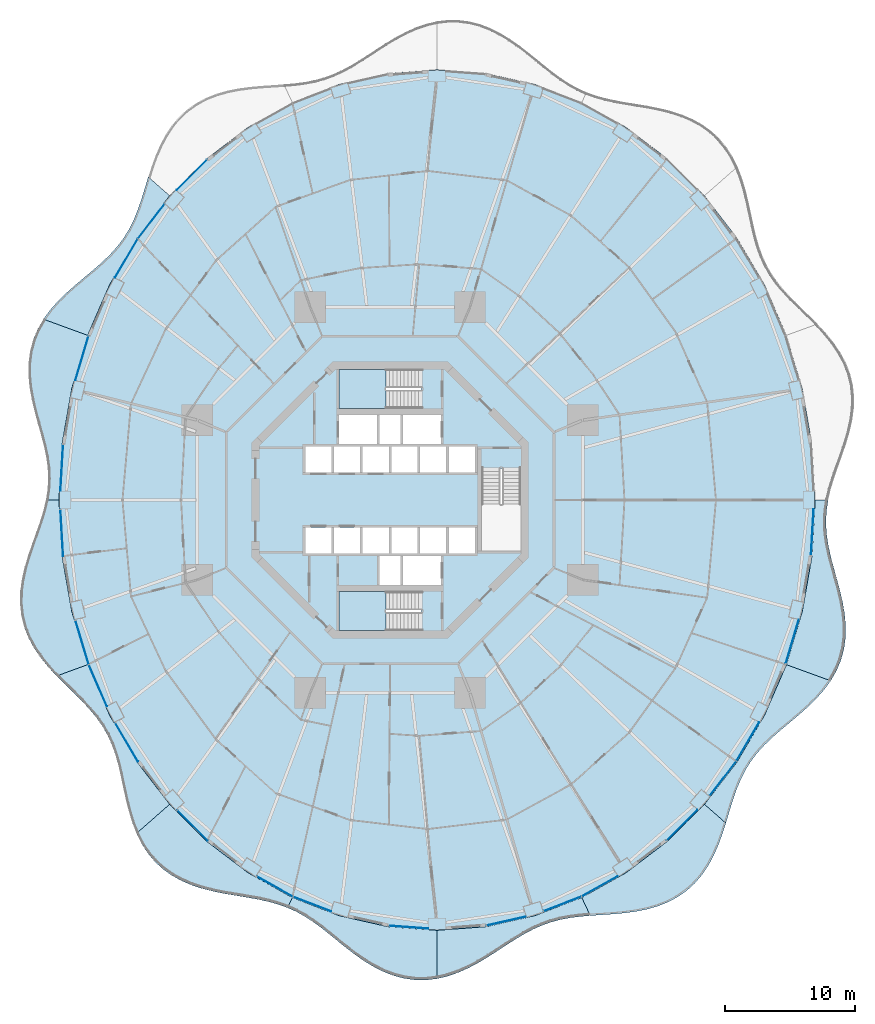
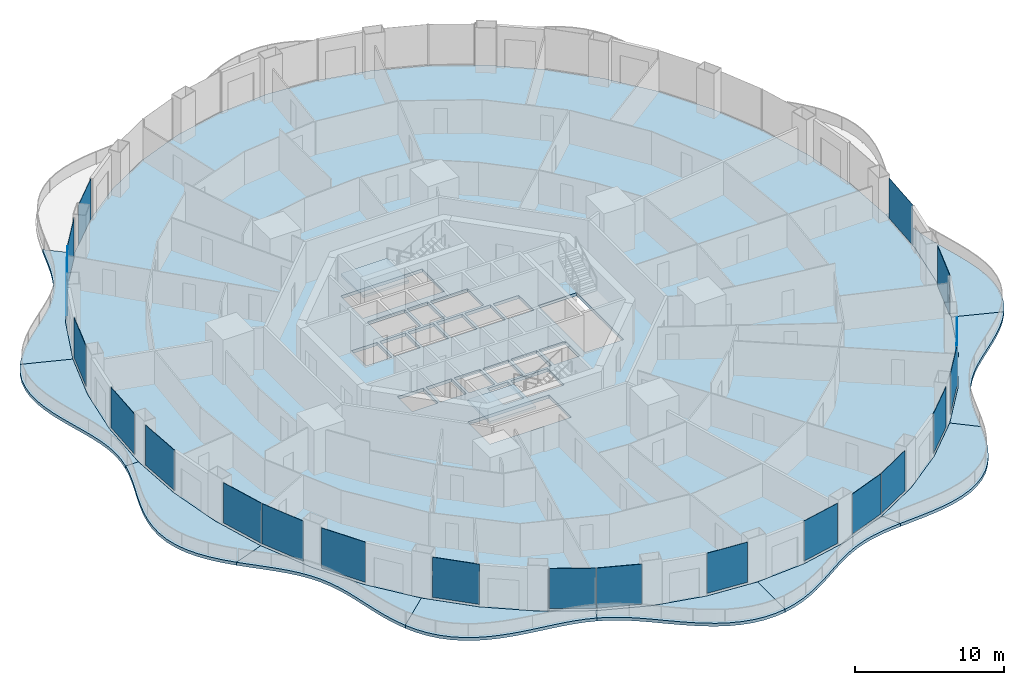
# One storey, part 12 of 22: 21 plates, 13 slabs, 23 elements without a shape of their own.
"""IFC4 building model written with IfcOpenShell, lengths in metres."""

from ifc_helpers import new_model, si_unit, direction, frame, origin, origin_2d, place, context, subcontext, project, spatial, polyline, rectangle, outline, extrude, material, layer, layer_set, type_object, element, aggregate, save


model = new_model("IFC4")

# Units and contexts
model_context = context("Model", 3, precision=1e-05, world=origin(), true_north=direction((0.0, 1.0)))
body_context = subcontext(model_context, "Body", "Model", "MODEL_VIEW")
ifc_project = project(units=[si_unit("LENGTHUNIT", "METRE"), si_unit("AREAUNIT", "SQUARE_METRE"), si_unit("VOLUMEUNIT", "CUBIC_METRE"), si_unit("PLANEANGLEUNIT", "RADIAN"), si_unit("MASSUNIT", "GRAM", prefix="KILO")], contexts=[model_context])

# Site, building, storey
site_placement = place(None, origin())
site = spatial("IfcSite", under=ifc_project, at=site_placement, CompositionType="ELEMENT")
building_placement = place(site_placement, origin())
building = spatial("IfcBuilding", under=site, at=building_placement, Name="Nagisa Residences", CompositionType="ELEMENT")
storey_placement = place(building_placement, frame((0.0, 0.0, 45.5)))
storey = spatial("IfcBuildingStorey", under=building, at=storey_placement, Name="L10", CompositionType="ELEMENT", Elevation=45.5)

# Slabs
ifc_material_1 = material(Name="Concrete C40/50", Category="concrete")
ifc_layer_1 = layer(ifc_material_1, 0.25)
ifc_layer_set_1 = layer_set([ifc_layer_1], Name="BALCONY SLAB 250")
slab_type_1 = type_object("IfcSlabType", Name="BALCONY SLAB 250", PredefinedType="FLOOR", material=ifc_layer_set_1)
slab_1_placement = place(storey_placement, frame((0.0, 0.0, -0.25)))
element("IfcSlab", 1, at=slab_1_placement, inside=storey, type_object=slab_type_1, Name="slab:L10:bal06", PredefinedType="FLOOR", context=body_context, shape_type="SweptSolid", body=[
    extrude(outline(polyline([(-18.542724609375, 24.77294921875), (-18.805419921875, 23.90478515625), (-19.06689453125, 23.05908203125), (-19.34619140625, 22.246826171875), (-19.659912109375, 21.4755859375), (-20.0224609375, 20.7490234375), (-20.443359375, 20.067138671875), (-20.927978515625, 19.42578125), (-21.475830078125, 18.8173828125), (-22.081298828125, 18.232177734375), (-22.7333984375, 17.6591796875), (-23.4169921875, 17.086181640625), (-24.112548828125, 16.501220703125), (-24.798828125, 15.893798828125), (-25.453857421875, 15.25537109375), (-26.055419921875, 14.579833984375), (-26.584228515625, 13.863037109375), (-23.192626953125, 12.628662109375), (-21.5146484375, 16.5), (-19.4072265625, 20.089111328125), (-16.906005859375, 23.33447265625), (-18.542724609375, 24.77294921875)])), origin(), (0.0, 0.0, 1.0), 0.25),
])
slab_2_placement = place(storey_placement, frame((0.0, 0.0, -0.25)))
element("IfcSlab", 2, at=slab_2_placement, inside=storey, type_object=slab_type_1, Name="slab:L10:bal07", PredefinedType="FLOOR", context=body_context, shape_type="SweptSolid", body=[
    extrude(outline(polyline([(-26.584228515625, 13.863037109375), (-27.0361328125, 13.080322265625), (-27.380126953125, 12.255859375), (-27.60986328125, 11.394775390625), (-27.72509765625, 10.5048828125), (-27.732421875, 9.594482421875), (-27.64501953125, 8.6728515625), (-27.4814453125, 7.749267578125), (-27.2646484375, 6.83154296875), (-27.01953125, 5.926025390625), (-26.7724609375, 5.036865234375), (-26.549072265625, 4.166015625), (-26.37109375, 3.312744140625), (-26.25732421875, 2.474609375), (-26.2197265625, 1.646728515625), (-26.2646484375, 0.823974609375), (-26.390625, 0.0), (-25.39990234375, 0.0), (-25.15185546875, 4.307373046875), (-24.411865234375, 8.541015625), (-23.192626953125, 12.628662109375), (-26.584228515625, 13.863037109375)])), origin(), (0.0, 0.0, 1.0), 0.25),
])
slab_3_placement = place(storey_placement, frame((0.0, 0.0, -0.25)))
element("IfcSlab", 3, at=slab_3_placement, inside=storey, type_object=slab_type_1, Name="slab:L10:bal08", PredefinedType="FLOOR", context=body_context, shape_type="SweptSolid", body=[
    extrude(outline(polyline([(-26.390625, 0.0), (-26.58984375, -0.8310546875), (-26.84814453125, -1.673828125), (-27.145751953125, -2.53173828125), (-27.459228515625, -3.406494140625), (-27.7626953125, -4.296875), (-28.02978515625, -5.199951171875), (-28.2353515625, -6.110595703125), (-28.357421875, -7.021728515625), (-28.379150390625, -7.925537109375), (-28.28857421875, -8.81396484375), (-28.0810546875, -9.678955078125), (-27.758544921875, -10.513671875), (-27.329833984375, -11.313720703125), (-26.809326171875, -12.07666015625), (-26.216552734375, -12.802734375), (-25.574951171875, -13.495849609375), (-23.192626953125, -12.628662109375), (-24.411865234375, -8.541015625), (-25.15185546875, -4.307373046875), (-25.39990234375, 0.0), (-26.390625, 0.0)])), origin(), (0.0, 0.0, 1.0), 0.25),
])
slab_4_placement = place(storey_placement, frame((0.0, 0.0, -0.25)))
element("IfcSlab", 4, at=slab_4_placement, inside=storey, type_object=slab_type_1, Name="slab:L10:bal09", PredefinedType="FLOOR", context=body_context, shape_type="SweptSolid", body=[
    extrude(outline(polyline([(-25.574951171875, -13.495849609375), (-24.9296875, -14.141845703125), (-24.28466796875, -14.7705078125), (-23.66064453125, -15.391845703125), (-23.076416015625, -16.016357421875), (-22.546142578125, -16.654296875), (-22.0791015625, -17.316162109375), (-21.6796875, -18.009765625), (-21.345703125, -18.7412109375), (-21.0703125, -19.513427734375), (-20.841552734375, -20.32568359375), (-20.643798828125, -21.173583984375), (-20.4580078125, -22.049072265625), (-20.264404296875, -22.94091796875), (-20.043212890625, -23.835205078125), (-19.77587890625, -24.716064453125), (-19.4462890625, -25.566650390625), (-16.906005859375, -23.33447265625), (-19.4072265625, -20.089111328125), (-21.5146484375, -16.5), (-23.192626953125, -12.628662109375), (-25.574951171875, -13.495849609375)])), origin(), (0.0, 0.0, 1.0), 0.25),
])
slab_5_placement = place(storey_placement, frame((0.0, 0.0, -0.25)))
element("IfcSlab", 5, at=slab_5_placement, inside=storey, type_object=slab_type_1, Name="slab:L10:bal10", PredefinedType="FLOOR", context=body_context, shape_type="SweptSolid", body=[
    extrude(outline(polyline([(-19.4462890625, -25.566650390625), (-19.06298828125, -26.3349609375), (-18.605224609375, -27.048095703125), (-18.0703125, -27.6953125), (-17.45947265625, -28.26904296875), (-16.777587890625, -28.7646484375), (-16.033203125, -29.181640625), (-15.238037109375, -29.523193359375), (-14.404541015625, -29.797119140625), (-13.547607421875, -30.01416015625), (-12.680908203125, -30.188720703125), (-11.81787109375, -30.336669921875), (-10.969970703125, -30.475341796875), (-10.146484375, -30.62255859375), (-9.35302734375, -30.794677734375), (-8.592529296875, -31.00537109375), (-7.86474609375, -31.266357421875), (-7.497802734375, -30.488037109375), (-10.89990234375, -28.578857421875), (-14.05419921875, -26.1806640625), (-16.906005859375, -23.33447265625), (-19.4462890625, -25.566650390625)])), origin(), (0.0, 0.0, 1.0), 0.25),
])
slab_6_placement = place(storey_placement, frame((0.0, 0.0, -0.25)))
element("IfcSlab", 6, at=slab_6_placement, inside=storey, type_object=slab_type_1, Name="slab:L10:bal11", PredefinedType="FLOOR", context=body_context, shape_type="SweptSolid", body=[
    extrude(outline(polyline([(-7.86474609375, -31.266357421875), (-7.19091796875, -31.572021484375), (-6.539306640625, -31.932861328125), (-5.90234375, -32.34716796875), (-5.2724609375, -32.80908203125), (-4.64111328125, -33.30810546875), (-4.0, -33.8310546875), (-3.34228515625, -34.361572265625), (-2.661865234375, -34.8818359375), (-1.955322265625, -35.37255859375), (-1.22119140625, -35.8154296875), (-0.459716796875, -36.193115234375), (0.326171875, -36.49072265625), (1.131591796875, -36.696533203125), (1.950439453125, -36.802978515625), (2.775634765625, -36.806884765625), (3.60009765625, -36.70947265625), (3.60009765625, -33.0), (-0.185302734375, -32.7177734375), (-3.90576171875, -31.87548828125), (-7.497802734375, -30.488037109375), (-7.86474609375, -31.266357421875)])), origin(), (0.0, 0.0, 1.0), 0.25),
])
slab_7_placement = place(storey_placement, frame((0.0, 0.0, -0.25)))
element("IfcSlab", 7, at=slab_7_placement, inside=storey, type_object=slab_type_1, Name="slab:L10:bal12", PredefinedType="FLOOR", context=body_context, shape_type="SweptSolid", body=[
    extrude(outline(polyline([(3.60009765625, -36.70947265625), (4.416015625, -36.5166015625), (5.2177734375, -36.23876953125), (6.000244140625, -35.889404296875), (6.760498046875, -35.4853515625), (7.497314453125, -35.044677734375), (8.21240234375, -34.5869140625), (8.90869140625, -34.13037109375), (9.59130859375, -33.69287109375), (10.2666015625, -33.2890625), (10.942138671875, -32.9306640625), (11.625244140625, -32.625244140625), (12.32275390625, -32.376708984375), (13.040771484375, -32.183837890625), (13.78369140625, -32.041748046875), (14.553466796875, -31.94140625), (15.349609375, -31.870849609375), (14.69775390625, -30.488037109375), (11.105712890625, -31.87548828125), (7.38525390625, -32.7177734375), (3.60009765625, -33.0), (3.60009765625, -36.70947265625)])), origin(), (0.0, 0.0, 1.0), 0.25),
])
slab_8_placement = place(storey_placement, frame((0.0, 0.0, -0.25)))
element("IfcSlab", 8, at=slab_8_placement, inside=storey, type_object=slab_type_1, Name="slab:L10:bal13", PredefinedType="FLOOR", context=body_context, shape_type="SweptSolid", body=[
    extrude(outline(polyline([(15.349609375, -31.870849609375), (16.200439453125, -31.813232421875), (17.070556640625, -31.753662109375), (17.95068359375, -31.673828125), (18.829833984375, -31.5556640625), (19.695556640625, -31.383056640625), (20.53466796875, -31.142578125), (21.333984375, -30.823974609375), (22.08203125, -30.421875), (22.768798828125, -29.93408203125), (23.3876953125, -29.36376953125), (23.935302734375, -28.717041015625), (24.41162109375, -28.004638671875), (24.821044921875, -27.23876953125), (25.17138671875, -26.4345703125), (25.47412109375, -25.607421875), (25.742919921875, -24.77294921875), (24.106201171875, -23.33447265625), (21.254150390625, -26.1806640625), (18.10009765625, -28.578857421875), (14.69775390625, -30.488037109375), (15.349609375, -31.870849609375)])), origin(), (0.0, 0.0, 1.0), 0.25),
])
slab_9_placement = place(storey_placement, frame((0.0, 0.0, -0.25)))
element("IfcSlab", 9, at=slab_9_placement, inside=storey, type_object=slab_type_1, Name="slab:L10:bal14", PredefinedType="FLOOR", context=body_context, shape_type="SweptSolid", body=[
    extrude(outline(polyline([(25.742919921875, -24.77294921875), (26.00537109375, -23.90478515625), (26.266845703125, -23.05908203125), (26.546142578125, -22.246826171875), (26.85986328125, -21.4755859375), (27.222412109375, -20.7490234375), (27.643310546875, -20.067138671875), (28.1279296875, -19.42578125), (28.67578125, -18.8173828125), (29.28125, -18.232177734375), (29.93359375, -17.6591796875), (30.616943359375, -17.086181640625), (31.3125, -16.501220703125), (31.998779296875, -15.893798828125), (32.65380859375, -15.25537109375), (33.25537109375, -14.579833984375), (33.7841796875, -13.863037109375), (30.392578125, -12.628662109375), (28.71484375, -16.5), (26.607177734375, -20.089111328125), (24.106201171875, -23.33447265625), (25.742919921875, -24.77294921875)])), origin(), (0.0, 0.0, 1.0), 0.25),
])
slab_10_placement = place(storey_placement, frame((0.0, 0.0, -0.25)))
element("IfcSlab", 10, at=slab_10_placement, inside=storey, type_object=slab_type_1, Name="slab:L10:bal15", PredefinedType="FLOOR", context=body_context, shape_type="SweptSolid", body=[
    extrude(outline(polyline([(33.7841796875, -13.863037109375), (34.236083984375, -13.080322265625), (34.580322265625, -12.255859375), (34.809814453125, -11.394775390625), (34.925048828125, -10.5048828125), (34.932373046875, -9.594482421875), (34.844970703125, -8.6728515625), (34.681396484375, -7.749267578125), (34.464599609375, -6.83154296875), (34.219482421875, -5.926025390625), (33.97265625, -5.036865234375), (33.7490234375, -4.166015625), (33.5712890625, -3.312744140625), (33.457275390625, -2.474609375), (33.419677734375, -1.646728515625), (33.464599609375, -0.823974609375), (33.590576171875, 0.0), (32.60009765625, 0.0), (32.351806640625, -4.307373046875), (31.61181640625, -8.541015625), (30.392578125, -12.628662109375), (33.7841796875, -13.863037109375)])), origin(), (0.0, 0.0, 1.0), 0.25),
])

# Curtain wall, plate
ifc_material_2 = material(Name="Concrete-coloured aluminium curtain wall system", Category="concrete")
ifc_layer_2 = layer(ifc_material_2, 0.159912109375)
ifc_layer_set_2 = layer_set([ifc_layer_2], Name="CW1 CURTAIN WALL")
curtain_wall_type = type_object("IfcCurtainWallType", Name="CW1 CURTAIN WALL", PredefinedType="NOTDEFINED", material=ifc_layer_set_2)
curtain_wall_1_placement = place(storey_placement, origin())
curtain_wall_1 = element("IfcCurtainWall", 11, at=curtain_wall_1_placement, inside=storey, type_object=curtain_wall_type, Name="cw:CW1:L10:17", PredefinedType="NOTDEFINED")
ifc_material_3 = material(Name="Clear laminated glass", Category="glass")
ifc_layer_3 = layer(ifc_material_3, 0.028076171875)
ifc_layer_set_3 = layer_set([ifc_layer_3], Name="CW1 GLASS PANEL")
plate_type = type_object("IfcPlateType", Name="CW1 GLASS PANEL", PredefinedType="CURTAIN_PANEL", material=ifc_layer_set_3)
plate_1_placement = place(storey_placement, frame((-15.197021484375, 24.927001953125, 0.14990234375), z_axis=(0.0, 0.0, 1.0), x_axis=(-0.707835924016, -0.706376885714, 0.0)))
plate_1 = element("IfcPlate", 12, at=plate_1_placement, type_object=plate_type, Name="CW1 panel", PredefinedType="CURTAIN_PANEL", context=body_context, shape_type="SweptSolid", body=[
    extrude(rectangle(XDim=3.269287109375, YDim=0.028076171875, at=origin_2d()), origin(), (0.0, 0.0, 1.0), 3.2900390625),
])
aggregate(curtain_wall_1, [plate_1])

curtain_wall_2_placement = place(storey_placement, origin())
curtain_wall_2 = element("IfcCurtainWall", 13, at=curtain_wall_2_placement, inside=storey, type_object=curtain_wall_type, Name="cw:CW1:L10:18", PredefinedType="NOTDEFINED")
plate_2_placement = place(storey_placement, frame((-18.3251953125, 21.362060546875, 0.14990234375), z_axis=(0.0, 0.0, 1.0), x_axis=(-0.610429828235, -0.792070340816, 0.0)))
plate_2 = element("IfcPlate", 14, at=plate_2_placement, type_object=plate_type, Name="CW1 panel", PredefinedType="CURTAIN_PANEL", context=body_context, shape_type="SweptSolid", body=[
    extrude(rectangle(XDim=3.33740234375, YDim=0.028076171875, at=origin_2d()), origin(), (0.0, 0.0, 1.0), 3.2900390625),
])
aggregate(curtain_wall_2, [plate_2])

curtain_wall_3_placement = place(storey_placement, origin())
curtain_wall_3 = element("IfcCurtainWall", 15, at=curtain_wall_3_placement, inside=storey, type_object=curtain_wall_type, Name="cw:CW1:L10:19", PredefinedType="NOTDEFINED")
plate_3_placement = place(storey_placement, frame((-20.22998046875, 18.530029296875, 0.14990234375), z_axis=(0.0, 0.0, 1.0), x_axis=(-0.506348567002, -0.862328898214, 0.0)))
plate_3 = element("IfcPlate", 16, at=plate_3_placement, type_object=plate_type, Name="CW1 panel", PredefinedType="CURTAIN_PANEL", context=body_context, shape_type="SweptSolid", body=[
    extrude(rectangle(XDim=3.402099609375, YDim=0.028076171875, at=origin_2d()), origin(), (0.0, 0.0, 1.0), 3.2900390625),
])
aggregate(curtain_wall_3, [plate_3])

curtain_wall_4_placement = place(storey_placement, origin())
curtain_wall_4 = element("IfcCurtainWall", 17, at=curtain_wall_4_placement, inside=storey, type_object=curtain_wall_type, Name="cw:CW1:L10:21", PredefinedType="NOTDEFINED")
plate_4_placement = place(storey_placement, frame((-23.634033203125, 10.86865234375, 0.14990234375), z_axis=(0.0, 0.0, 1.0), x_axis=(-0.285860274038, -0.958271310082, 0.0)))
plate_4 = element("IfcPlate", 18, at=plate_4_placement, type_object=plate_type, Name="CW1 panel", PredefinedType="CURTAIN_PANEL", context=body_context, shape_type="SweptSolid", body=[
    extrude(rectangle(XDim=3.505615234375, YDim=0.028076171875, at=origin_2d()), origin(), (0.0, 0.0, 1.0), 3.2900390625),
])
aggregate(curtain_wall_4, [plate_4])

curtain_wall_5_placement = place(storey_placement, origin())
curtain_wall_5 = element("IfcCurtainWall", 19, at=curtain_wall_5_placement, inside=storey, type_object=curtain_wall_type, Name="cw:CW1:L10:23", PredefinedType="NOTDEFINED")
plate_5_placement = place(storey_placement, frame((-25.177734375, 2.468505859375, 0.14990234375), z_axis=(0.0, 0.0, 1.0), x_axis=(-0.057503492216, -0.998345305184, 0.0)))
plate_5 = element("IfcPlate", 20, at=plate_5_placement, type_object=plate_type, Name="CW1 panel", PredefinedType="CURTAIN_PANEL", context=body_context, shape_type="SweptSolid", body=[
    extrude(rectangle(XDim=3.554443359375, YDim=0.028076171875, at=origin_2d()), origin(), (0.0, 0.0, 1.0), 3.2900390625),
])
aggregate(curtain_wall_5, [plate_5])

curtain_wall_6_placement = place(storey_placement, origin())
curtain_wall_6 = element("IfcCurtainWall", 21, at=curtain_wall_6_placement, inside=storey, type_object=curtain_wall_type, Name="cw:CW1:L10:24", PredefinedType="NOTDEFINED")
plate_6_placement = place(storey_placement, frame((-25.17431640625, -2.528564453125, 0.14990234375), z_axis=(0.0, 0.0, 1.0), x_axis=(0.057503492216, -0.998345305184, 0.0)))
plate_6 = element("IfcPlate", 22, at=plate_6_placement, type_object=plate_type, Name="CW1 panel", PredefinedType="CURTAIN_PANEL", context=body_context, shape_type="SweptSolid", body=[
    extrude(rectangle(XDim=3.554443359375, YDim=0.028076171875, at=origin_2d()), origin(), (0.0, 0.0, 1.0), 3.2900390625),
])
aggregate(curtain_wall_6, [plate_6])

curtain_wall_7_placement = place(storey_placement, origin())
curtain_wall_7 = element("IfcCurtainWall", 23, at=curtain_wall_7_placement, inside=storey, type_object=curtain_wall_type, Name="cw:CW1:L10:26", PredefinedType="NOTDEFINED")
plate_7_placement = place(storey_placement, frame((-23.616943359375, -10.926025390625, 0.14990234375), z_axis=(0.0, 0.0, 1.0), x_axis=(0.285860274038, -0.958271310082, 0.0)))
plate_7 = element("IfcPlate", 24, at=plate_7_placement, type_object=plate_type, Name="CW1 panel", PredefinedType="CURTAIN_PANEL", context=body_context, shape_type="SweptSolid", body=[
    extrude(rectangle(XDim=3.505615234375, YDim=0.028076171875, at=origin_2d()), origin(), (0.0, 0.0, 1.0), 3.2900390625),
])
aggregate(curtain_wall_7, [plate_7])

curtain_wall_8_placement = place(storey_placement, origin())
curtain_wall_8 = element("IfcCurtainWall", 25, at=curtain_wall_8_placement, inside=storey, type_object=curtain_wall_type, Name="cw:CW1:L10:27", PredefinedType="NOTDEFINED")
plate_8_placement = place(storey_placement, frame((-22.407470703125, -14.23876953125, 0.14990234375), z_axis=(0.0, 0.0, 1.0), x_axis=(0.397635934147, -0.917543276295, 0.0)))
plate_8 = element("IfcPlate", 26, at=plate_8_placement, type_object=plate_type, Name="CW1 panel", PredefinedType="CURTAIN_PANEL", context=body_context, shape_type="SweptSolid", body=[
    extrude(rectangle(XDim=3.45947265625, YDim=0.028076171875, at=origin_2d()), origin(), (0.0, 0.0, 1.0), 3.2900390625),
])
aggregate(curtain_wall_8, [plate_8])

curtain_wall_9_placement = place(storey_placement, origin())
curtain_wall_9 = element("IfcCurtainWall", 27, at=curtain_wall_9_placement, inside=storey, type_object=curtain_wall_type, Name="cw:CW1:L10:28", PredefinedType="NOTDEFINED")
plate_9_placement = place(storey_placement, frame((-20.19970703125, -18.581787109375, 0.14990234375), z_axis=(0.0, 0.0, 1.0), x_axis=(0.506348567002, -0.862328898214, 0.0)))
plate_9 = element("IfcPlate", 28, at=plate_9_placement, type_object=plate_type, Name="CW1 panel", PredefinedType="CURTAIN_PANEL", context=body_context, shape_type="SweptSolid", body=[
    extrude(rectangle(XDim=3.402099609375, YDim=0.028076171875, at=origin_2d()), origin(), (0.0, 0.0, 1.0), 3.2900390625),
])
aggregate(curtain_wall_9, [plate_9])

curtain_wall_10_placement = place(storey_placement, origin())
curtain_wall_10 = element("IfcCurtainWall", 29, at=curtain_wall_10_placement, inside=storey, type_object=curtain_wall_type, Name="cw:CW1:L10:30", PredefinedType="NOTDEFINED")
plate_10_placement = place(storey_placement, frame((-15.154541015625, -24.969482421875, 0.14990234375), z_axis=(0.0, 0.0, 1.0), x_axis=(0.707835924016, -0.706376885714, 0.0)))
plate_10 = element("IfcPlate", 30, at=plate_10_placement, type_object=plate_type, Name="CW1 panel", PredefinedType="CURTAIN_PANEL", context=body_context, shape_type="SweptSolid", body=[
    extrude(rectangle(XDim=3.269287109375, YDim=0.028076171875, at=origin_2d()), origin(), (0.0, 0.0, 1.0), 3.2900390625),
])
aggregate(curtain_wall_10, [plate_10])

curtain_wall_11_placement = place(storey_placement, origin())
curtain_wall_11 = element("IfcCurtainWall", 31, at=curtain_wall_11_placement, inside=storey, type_object=curtain_wall_type, Name="cw:CW1:L10:32", PredefinedType="NOTDEFINED")
plate_11_placement = place(storey_placement, frame((-8.828369140625, -29.649658203125, 0.14990234375), z_axis=(0.0, 0.0, 1.0), x_axis=(0.872072377523, -0.489376918501, 0.0)))
plate_11 = element("IfcPlate", 32, at=plate_11_placement, type_object=plate_type, Name="CW1 panel", PredefinedType="CURTAIN_PANEL", context=body_context, shape_type="SweptSolid", body=[
    extrude(rectangle(XDim=3.141357421875, YDim=0.028076171875, at=origin_2d()), origin(), (0.0, 0.0, 1.0), 3.2900390625),
])
aggregate(curtain_wall_11, [plate_11])

curtain_wall_12_placement = place(storey_placement, origin())
curtain_wall_12 = element("IfcCurtainWall", 33, at=curtain_wall_12_placement, inside=storey, type_object=curtain_wall_type, Name="cw:CW1:L10:33", PredefinedType="NOTDEFINED")
plate_12_placement = place(storey_placement, frame((-5.971435546875, -30.991943359375, 0.14990234375), z_axis=(0.0, 0.0, 1.0), x_axis=(0.932825759707, -0.360327770268, 0.0)))
plate_12 = element("IfcPlate", 34, at=plate_12_placement, type_object=plate_type, Name="CW1 panel", PredefinedType="CURTAIN_PANEL", context=body_context, shape_type="SweptSolid", body=[
    extrude(rectangle(XDim=3.0908203125, YDim=0.028076171875, at=origin_2d()), origin(), (0.0, 0.0, 1.0), 3.2900390625),
])
aggregate(curtain_wall_12, [plate_12])

curtain_wall_13_placement = place(storey_placement, origin())
curtain_wall_13 = element("IfcCurtainWall", 35, at=curtain_wall_13_placement, inside=storey, type_object=curtain_wall_type, Name="cw:CW1:L10:35", PredefinedType="NOTDEFINED")
plate_13_placement = place(storey_placement, frame((1.394287109375, -32.75537109375, 0.14990234375), z_axis=(0.0, 0.0, 1.0), x_axis=(0.997230168512, -0.074377355493, 0.0)))
plate_13 = element("IfcPlate", 36, at=plate_13_placement, type_object=plate_type, Name="CW1 panel", PredefinedType="CURTAIN_PANEL", context=body_context, shape_type="SweptSolid", body=[
    extrude(rectangle(XDim=3.035888671875, YDim=0.028076171875, at=origin_2d()), origin(), (0.0, 0.0, 1.0), 3.2900390625),
])
aggregate(curtain_wall_13, [plate_13])

curtain_wall_14_placement = place(storey_placement, origin())
curtain_wall_14 = element("IfcCurtainWall", 37, at=curtain_wall_14_placement, inside=storey, type_object=curtain_wall_type, Name="cw:CW1:L10:37", PredefinedType="NOTDEFINED")
plate_14_placement = place(storey_placement, frame((8.915771484375, -32.289306640625, 0.14990234375), z_axis=(0.0, 0.0, 1.0), x_axis=(0.975327274089, 0.2207639201, 0.0)))
plate_14 = element("IfcPlate", 38, at=plate_14_placement, type_object=plate_type, Name="CW1 panel", PredefinedType="CURTAIN_PANEL", context=body_context, shape_type="SweptSolid", body=[
    extrude(rectangle(XDim=3.0546875, YDim=0.028076171875, at=origin_2d()), origin(), (0.0, 0.0, 1.0), 3.2900390625),
])
aggregate(curtain_wall_14, [plate_14])

curtain_wall_15_placement = place(storey_placement, origin())
curtain_wall_15 = element("IfcCurtainWall", 39, at=curtain_wall_15_placement, inside=storey, type_object=curtain_wall_type, Name="cw:CW1:L10:38", PredefinedType="NOTDEFINED")
plate_15_placement = place(storey_placement, frame((13.2275390625, -30.97021484375, 0.14990234375), z_axis=(0.0, 0.0, 1.0), x_axis=(0.932825759707, 0.360327770268, 0.0)))
plate_15 = element("IfcPlate", 40, at=plate_15_placement, type_object=plate_type, Name="CW1 panel", PredefinedType="CURTAIN_PANEL", context=body_context, shape_type="SweptSolid", body=[
    extrude(rectangle(XDim=3.0908203125, YDim=0.028076171875, at=origin_2d()), origin(), (0.0, 0.0, 1.0), 3.2900390625),
])
aggregate(curtain_wall_15, [plate_15])

curtain_wall_16_placement = place(storey_placement, origin())
curtain_wall_16 = element("IfcCurtainWall", 41, at=curtain_wall_16_placement, inside=storey, type_object=curtain_wall_type, Name="cw:CW1:L10:39", PredefinedType="NOTDEFINED")
plate_16_placement = place(storey_placement, frame((16.080810546875, -29.620361328125, 0.14990234375), z_axis=(0.0, 0.0, 1.0), x_axis=(0.872072377523, 0.489376918501, 0.0)))
plate_16 = element("IfcPlate", 42, at=plate_16_placement, type_object=plate_type, Name="CW1 panel", PredefinedType="CURTAIN_PANEL", context=body_context, shape_type="SweptSolid", body=[
    extrude(rectangle(XDim=3.141357421875, YDim=0.028076171875, at=origin_2d()), origin(), (0.0, 0.0, 1.0), 3.2900390625),
])
aggregate(curtain_wall_16, [plate_16])

curtain_wall_17_placement = place(storey_placement, origin())
curtain_wall_17 = element("IfcCurtainWall", 43, at=curtain_wall_17_placement, inside=storey, type_object=curtain_wall_type, Name="cw:CW1:L10:41", PredefinedType="NOTDEFINED")
plate_17_placement = place(storey_placement, frame((22.39697265625, -24.927001953125, 0.14990234375), z_axis=(0.0, 0.0, 1.0), x_axis=(0.707835924016, 0.706376885714, 0.0)))
plate_17 = element("IfcPlate", 44, at=plate_17_placement, type_object=plate_type, Name="CW1 panel", PredefinedType="CURTAIN_PANEL", context=body_context, shape_type="SweptSolid", body=[
    extrude(rectangle(XDim=3.269287109375, YDim=0.028076171875, at=origin_2d()), origin(), (0.0, 0.0, 1.0), 3.2900390625),
])
aggregate(curtain_wall_17, [plate_17])

curtain_wall_18_placement = place(storey_placement, origin())
curtain_wall_18 = element("IfcCurtainWall", 45, at=curtain_wall_18_placement, inside=storey, type_object=curtain_wall_type, Name="cw:CW1:L10:42", PredefinedType="NOTDEFINED")
plate_18_placement = place(storey_placement, frame((25.525390625, -21.362060546875, 0.14990234375), z_axis=(0.0, 0.0, 1.0), x_axis=(0.610429828235, 0.792070340816, 0.0)))
plate_18 = element("IfcPlate", 46, at=plate_18_placement, type_object=plate_type, Name="CW1 panel", PredefinedType="CURTAIN_PANEL", context=body_context, shape_type="SweptSolid", body=[
    extrude(rectangle(XDim=3.33740234375, YDim=0.028076171875, at=origin_2d()), origin(), (0.0, 0.0, 1.0), 3.2900390625),
])
aggregate(curtain_wall_18, [plate_18])

curtain_wall_19_placement = place(storey_placement, origin())
curtain_wall_19 = element("IfcCurtainWall", 47, at=curtain_wall_19_placement, inside=storey, type_object=curtain_wall_type, Name="cw:CW1:L10:43", PredefinedType="NOTDEFINED")
plate_19_placement = place(storey_placement, frame((27.429931640625, -18.530029296875, 0.14990234375), z_axis=(0.0, 0.0, 1.0), x_axis=(0.506348567002, 0.862328898214, 0.0)))
plate_19 = element("IfcPlate", 48, at=plate_19_placement, type_object=plate_type, Name="CW1 panel", PredefinedType="CURTAIN_PANEL", context=body_context, shape_type="SweptSolid", body=[
    extrude(rectangle(XDim=3.402099609375, YDim=0.028076171875, at=origin_2d()), origin(), (0.0, 0.0, 1.0), 3.2900390625),
])
aggregate(curtain_wall_19, [plate_19])

curtain_wall_20_placement = place(storey_placement, origin())
curtain_wall_20 = element("IfcCurtainWall", 49, at=curtain_wall_20_placement, inside=storey, type_object=curtain_wall_type, Name="cw:CW1:L10:45", PredefinedType="NOTDEFINED")
plate_20_placement = place(storey_placement, frame((30.833984375, -10.86865234375, 0.14990234375), z_axis=(0.0, 0.0, 1.0), x_axis=(0.285860274038, 0.958271310082, 0.0)))
plate_20 = element("IfcPlate", 50, at=plate_20_placement, type_object=plate_type, Name="CW1 panel", PredefinedType="CURTAIN_PANEL", context=body_context, shape_type="SweptSolid", body=[
    extrude(rectangle(XDim=3.505615234375, YDim=0.028076171875, at=origin_2d()), origin(), (0.0, 0.0, 1.0), 3.2900390625),
])
aggregate(curtain_wall_20, [plate_20])

curtain_wall_21_placement = place(storey_placement, origin())
curtain_wall_21 = element("IfcCurtainWall", 51, at=curtain_wall_21_placement, inside=storey, type_object=curtain_wall_type, Name="cw:CW1:L10:47", PredefinedType="NOTDEFINED")
plate_21_placement = place(storey_placement, frame((32.377685546875, -2.468505859375, 0.14990234375), z_axis=(0.0, 0.0, 1.0), x_axis=(0.057503492216, 0.998345305184, 0.0)))
plate_21 = element("IfcPlate", 52, at=plate_21_placement, type_object=plate_type, Name="CW1 panel", PredefinedType="CURTAIN_PANEL", context=body_context, shape_type="SweptSolid", body=[
    extrude(rectangle(XDim=3.554443359375, YDim=0.028076171875, at=origin_2d()), origin(), (0.0, 0.0, 1.0), 3.2900390625),
])
aggregate(curtain_wall_21, [plate_21])

# Slab
ifc_material_4 = material(Name="Concrete C40", Category="concrete")
ifc_layer_4 = layer(ifc_material_4, 0.260009765625)
ifc_layer_set_4 = layer_set([ifc_layer_4], Name="Floor slab 260")
slab_type_2 = type_object("IfcSlabType", Name="Floor slab 260", PredefinedType="FLOOR", material=ifc_layer_set_4)
slab_11_placement = place(storey_placement, frame((0.0, 0.0, -0.260009765625)))
element("IfcSlab", 53, at=slab_11_placement, inside=storey, type_object=slab_type_2, Name="slab:L10:floor", PredefinedType="FLOOR", context=body_context, shape_type="SweptSolid", body=[
    extrude(outline(polyline([(32.60009765625, 0.0), (32.351806640625, 4.307373046875), (31.61181640625, 8.541015625), (30.392578125, 12.628662109375), (28.71484375, 16.5), (26.607177734375, 20.089111328125), (24.106201171875, 23.33447265625), (21.254150390625, 26.1806640625), (18.10009765625, 28.578857421875), (14.69775390625, 30.488037109375), (11.105712890625, 31.87548828125), (7.38525390625, 32.7177734375), (3.60009765625, 33.0), (-0.185302734375, 32.7177734375), (-3.90576171875, 31.87548828125), (-7.497802734375, 30.488037109375), (-10.89990234375, 28.578857421875), (-14.05419921875, 26.1806640625), (-16.906005859375, 23.33447265625), (-19.4072265625, 20.089111328125), (-21.5146484375, 16.5), (-23.192626953125, 12.628662109375), (-24.411865234375, 8.541015625), (-25.15185546875, 4.307373046875), (-25.39990234375, 0.0), (-25.15185546875, -4.307373046875), (-24.411865234375, -8.541015625), (-23.192626953125, -12.628662109375), (-21.5146484375, -16.5), (-19.4072265625, -20.089111328125), (-16.906005859375, -23.33447265625), (-14.05419921875, -26.1806640625), (-10.89990234375, -28.578857421875), (-7.497802734375, -30.488037109375), (-3.90576171875, -31.87548828125), (-0.185302734375, -32.7177734375), (3.60009765625, -33.0), (7.38525390625, -32.7177734375), (11.105712890625, -31.87548828125), (14.69775390625, -30.488037109375), (18.10009765625, -28.578857421875), (21.254150390625, -26.1806640625), (24.106201171875, -23.33447265625), (26.607177734375, -20.089111328125), (28.71484375, -16.5), (30.392578125, -12.628662109375), (31.61181640625, -8.541015625), (32.351806640625, -4.307373046875), (32.60009765625, 0.0)]), holes=[polyline([(-4.5, 2.10009765625), (-4.5, 4.10009765625), (-6.5, 4.10009765625), (-6.5, 2.10009765625), (-4.5, 2.10009765625)]), polyline([(-2.300048828125, 2.10009765625), (-2.300048828125, 4.10009765625), (-4.300048828125, 4.10009765625), (-4.300048828125, 2.10009765625), (-2.300048828125, 2.10009765625)]), polyline([(-0.10009765625, 2.10009765625), (-0.10009765625, 4.10009765625), (-2.10009765625, 4.10009765625), (-2.10009765625, 2.10009765625), (-0.10009765625, 2.10009765625)]), polyline([(2.10009765625, 2.10009765625), (2.10009765625, 4.10009765625), (0.10009765625, 4.10009765625), (0.10009765625, 2.10009765625), (2.10009765625, 2.10009765625)]), polyline([(4.300048828125, 2.10009765625), (4.300048828125, 4.10009765625), (2.300048828125, 4.10009765625), (2.300048828125, 2.10009765625), (4.300048828125, 2.10009765625)]), polyline([(6.5, 2.10009765625), (6.5, 4.10009765625), (4.5, 4.10009765625), (4.5, 2.10009765625), (6.5, 2.10009765625)]), polyline([(-4.5, -4.10009765625), (-4.5, -2.10009765625), (-6.5, -2.10009765625), (-6.5, -4.10009765625), (-4.5, -4.10009765625)]), polyline([(-2.300048828125, -4.10009765625), (-2.300048828125, -2.10009765625), (-4.300048828125, -2.10009765625), (-4.300048828125, -4.10009765625), (-2.300048828125, -4.10009765625)]), polyline([(-0.10009765625, -4.10009765625), (-0.10009765625, -2.10009765625), (-2.10009765625, -2.10009765625), (-2.10009765625, -4.10009765625), (-0.10009765625, -4.10009765625)]), polyline([(2.10009765625, -4.10009765625), (2.10009765625, -2.10009765625), (0.10009765625, -2.10009765625), (0.10009765625, -4.10009765625), (2.10009765625, -4.10009765625)]), polyline([(4.300048828125, -4.10009765625), (4.300048828125, -2.10009765625), (2.300048828125, -2.10009765625), (2.300048828125, -4.10009765625), (4.300048828125, -4.10009765625)]), polyline([(6.5, -4.10009765625), (6.5, -2.10009765625), (4.5, -2.10009765625), (4.5, -4.10009765625), (6.5, -4.10009765625)]), polyline([(3.89990234375, 4.300048828125), (3.89990234375, 6.5), (1.0, 6.5), (1.0, 4.300048828125), (3.89990234375, 4.300048828125)]), polyline([(3.89990234375, -6.5), (3.89990234375, -4.300048828125), (1.0, -4.300048828125), (1.0, -6.5), (3.89990234375, -6.5)]), polyline([(-1.0, 4.300048828125), (-1.0, 6.5), (-3.89990234375, 6.5), (-3.89990234375, 4.300048828125), (-1.0, 4.300048828125)]), polyline([(0.800048828125, 4.300048828125), (0.800048828125, 6.5), (-0.800048828125, 6.5), (-0.800048828125, 4.300048828125), (0.800048828125, 4.300048828125)]), polyline([(0.800048828125, -6.5), (0.800048828125, -4.300048828125), (-0.800048828125, -4.300048828125), (-0.800048828125, -6.5), (0.800048828125, -6.5)]), polyline([(10.024658203125, -3.89990234375), (7.024658203125, -3.89990234375), (7.024658203125, 2.425048828125), (10.024658203125, 2.425048828125), (10.024658203125, -3.89990234375)]), polyline([(-3.89990234375, 7.024658203125), (-3.89990234375, 10.024658203125), (2.425048828125, 10.024658203125), (2.425048828125, 7.024658203125), (-3.89990234375, 7.024658203125)]), polyline([(-3.89990234375, -10.024658203125), (-3.89990234375, -7.024658203125), (2.425048828125, -7.024658203125), (2.425048828125, -10.024658203125), (-3.89990234375, -10.024658203125)])]), origin(), (0.0, 0.0, 1.0), 0.260009765625),
])

# Stair, slab
ifc_material_5 = material(Name="Concrete C60", Category="concrete")
stair_type = type_object("IfcStairType", Name="Exit stair", PredefinedType="HALF_TURN_STAIR", material=ifc_material_5)
stair_1_placement = place(storey_placement, origin())
stair_1 = element("IfcStair", 54, at=stair_1_placement, inside=storey, type_object=stair_type, Name="L10 Exit stair N", PredefinedType="HALF_TURN_STAIR")
ifc_material_6 = material(Name="Concrete C60", Category="concrete")
ifc_layer_5 = layer(ifc_material_6, 0.199951171875)
ifc_layer_set_5 = layer_set([ifc_layer_5], Name="Stair landing")
slab_type_3 = type_object("IfcSlabType", Name="Stair landing", PredefinedType="LANDING", material=ifc_layer_set_5)
slab_12_placement = place(storey_placement, frame((0.0, 0.0, 1.64990234375)))
slab_12 = element("IfcSlab", 55, at=slab_12_placement, type_object=slab_type_3, Name="ST-N landing 1", PredefinedType="LANDING", context=body_context, shape_type="SweptSolid", body=[
    extrude(outline(polyline([(-0.324951171875, 10.024658203125), (-3.89990234375, 10.024658203125), (-3.89990234375, 7.024658203125), (-0.324951171875, 7.024658203125), (-0.324951171875, 10.024658203125)])), origin(), (0.0, 0.0, 1.0), 0.2001953125),
])
aggregate(stair_1, [slab_12])

stair_2_placement = place(storey_placement, origin())
stair_2 = element("IfcStair", 56, at=stair_2_placement, inside=storey, type_object=stair_type, Name="L10 Exit stair S", PredefinedType="HALF_TURN_STAIR")
slab_13_placement = place(storey_placement, frame((0.0, 0.0, 1.64990234375)))
slab_13 = element("IfcSlab", 57, at=slab_13_placement, type_object=slab_type_3, Name="ST-S landing 1", PredefinedType="LANDING", context=body_context, shape_type="SweptSolid", body=[
    extrude(outline(polyline([(-0.324951171875, -7.024658203125), (-3.89990234375, -7.024658203125), (-3.89990234375, -10.024658203125), (-0.324951171875, -10.024658203125), (-0.324951171875, -7.024658203125)])), origin(), (0.0, 0.0, 1.0), 0.2001953125),
])
aggregate(stair_2, [slab_13])

save(model, "model.ifc")
